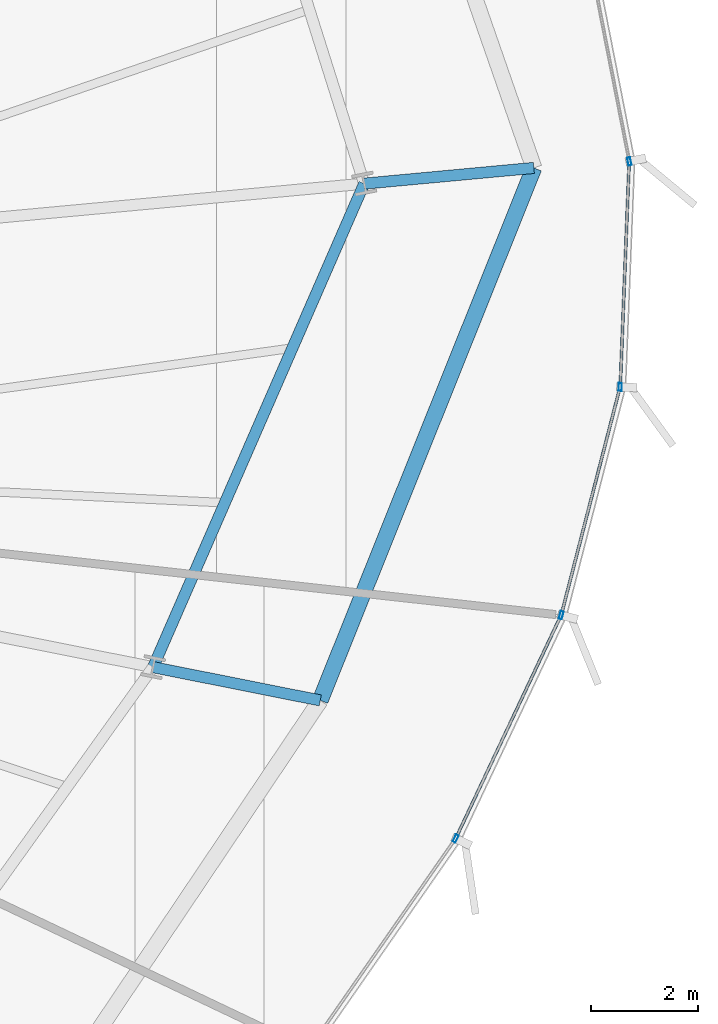
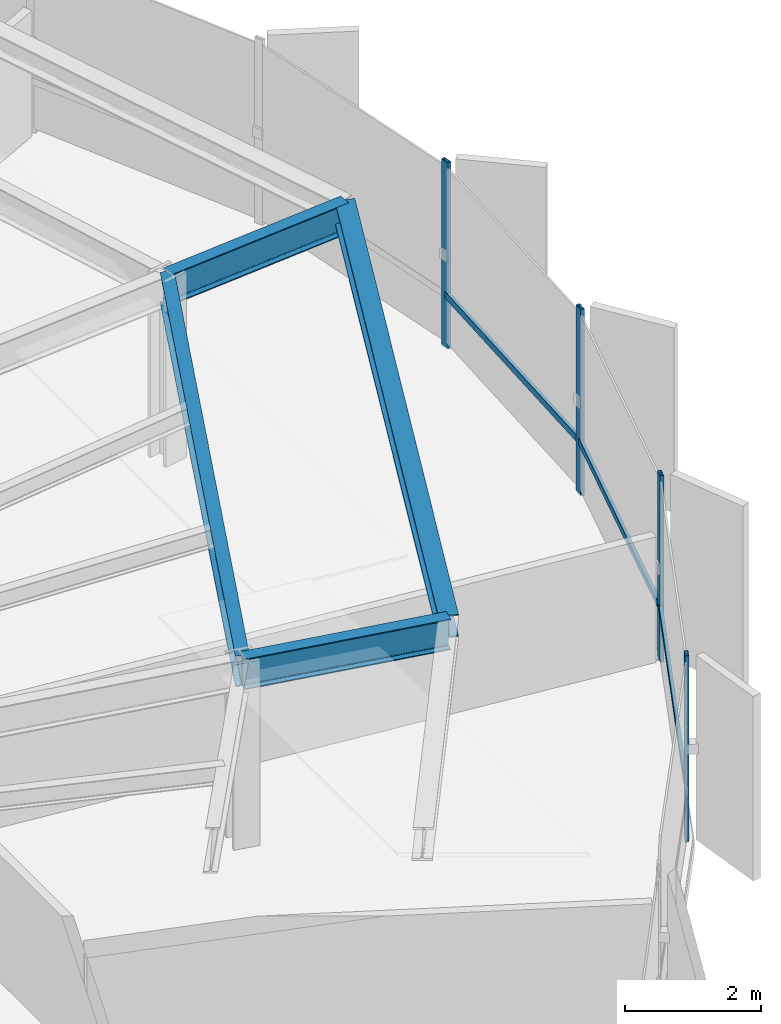
# One storey, part 16 of 35: 7 members, 4 beams, 1 element without a shape of its own.
"""IFC4 building model written with IfcOpenShell, lengths in metres."""

from ifc_helpers import new_model, si_unit, direction, frame, origin, origin_2d, place, context, subcontext, project, spatial, hollow_rectangle, i_section, extrude, source, transform, mapped, material, layer, layer_set, material_profile, profile_set, type_object, element, aggregate, save


model = new_model("IFC4")

# Units and contexts
model_context = context("Model", 3, precision=1e-05, world=origin(), true_north=direction((0.0, 1.0)))
body_context = subcontext(model_context, "Body", "Model", "MODEL_VIEW")
ifc_project = project(units=[si_unit("LENGTHUNIT", "METRE"), si_unit("AREAUNIT", "SQUARE_METRE"), si_unit("VOLUMEUNIT", "CUBIC_METRE"), si_unit("PLANEANGLEUNIT", "RADIAN"), si_unit("MASSUNIT", "GRAM", prefix="KILO"), si_unit("THERMODYNAMICTEMPERATUREUNIT", "KELVIN")], contexts=[model_context])

# Site, building, storey
site_placement = place(None, origin())
site = spatial("IfcSite", under=ifc_project, at=site_placement, CompositionType="ELEMENT")
building_placement = place(site_placement, origin())
building = spatial("IfcBuilding", under=site, at=building_placement, Name="Kethvar Cultural Tower", CompositionType="ELEMENT")
storey_placement = place(building_placement, frame((0.0, 0.0, 107.199951171875)))
storey = spatial("IfcBuildingStorey", under=building, at=storey_placement, Name="L26", CompositionType="ELEMENT", Elevation=107.199951171875)

# Beams
ifc_material_1 = material(Name="Steel S355J2", Category="steel")
ifc_material_profile_1 = material_profile(ifc_material_1, i_section(OverallWidth=0.2099609375, OverallDepth=0.550048828125, WebThickness=0.010986328125, FlangeThickness=0.01708984375, FilletRadius=0.02392578125, at=origin_2d()), Name="Steel S355J2 — IPE550")
ifc_profile_set_1 = profile_set([ifc_material_profile_1], Name="Steel S355J2 — IPE550")
beam_type_1 = type_object("IfcBeamType", Name="BM-IPE550", PredefinedType="BEAM", material=ifc_profile_set_1)
shared_shape_1 = source(origin(), body_context, "Body", "SweptSolid", [
    extrude(i_section(OverallWidth=0.2099609375, OverallDepth=0.550048828125, WebThickness=0.010986328125, FlangeThickness=0.01708984375, FilletRadius=0.02392578125, at=origin_2d()), origin(), (0.0, 0.0, 1.0), 3.199951171875),
])
for number, where, z_axis, x_axis, name in (
    (1, (71.6025390625, 32.7333984375, 3.072998046875), (0.995729641608, 0.092317283453, 0.0), (-0.092317283453, 0.995729641608, 0.0), "L26 Perimeter Cantilever Beam RC-01"),
    (2, (67.638671875, 23.65478515625, 3.072998046875), (0.980785550224, -0.195088965533, 0.0), (0.195088965533, 0.980785550224, 0.0), "L26 Perimeter Cantilever Beam RC-16"),
):
    element("IfcBeam", number, at=place(storey_placement, frame(where, z_axis=z_axis, x_axis=x_axis)), inside=storey, type_object=beam_type_1, Name=name, PredefinedType="BEAM", context=body_context, shape_type="MappedRepresentation", body=[
        mapped(shared_shape_1, transform((0.0, 0.0, 0.0), scale=1.0)),
    ])
shared_shape_2 = source(origin(), body_context, "Body", "SweptSolid", [
    extrude(i_section(OverallWidth=0.2099609375, OverallDepth=0.550048828125, WebThickness=0.010986328125, FlangeThickness=0.01708984375, FilletRadius=0.02392578125, at=origin_2d()), origin(), (0.0, 0.0, 1.0), 9.90625),
])
beam_1_placement = place(storey_placement, frame((67.638671875, 23.65478515625, 3.072998046875), z_axis=(0.400138679026, 0.916454602011, 0.0), x_axis=(-0.916454602011, 0.400138679026, 0.0)))
element("IfcBeam", 3, at=beam_1_placement, inside=storey, type_object=beam_type_1, Name="L26 Column Ring Tie Beam CR-16", PredefinedType="BEAM", context=body_context, shape_type="MappedRepresentation", body=[
    mapped(shared_shape_2, transform((0.0, 0.0, 0.0), scale=1.0)),
])
ifc_material_profile_2 = material_profile(ifc_material_1, i_section(OverallWidth=0.300048828125, OverallDepth=0.39990234375, WebThickness=0.013427734375, FlangeThickness=0.02392578125, FilletRadius=0.027099609375, at=origin_2d()), Name="Steel S355J2 — HEB400")
ifc_profile_set_2 = profile_set([ifc_material_profile_2], Name="Steel S355J2 — HEB400")
beam_type_2 = type_object("IfcBeamType", Name="BM-SP400", PredefinedType="SPANDREL", material=ifc_profile_set_2)
shared_shape_3 = source(origin(), body_context, "Body", "SweptSolid", [
    extrude(i_section(OverallWidth=0.300048828125, OverallDepth=0.39990234375, WebThickness=0.013427734375, FlangeThickness=0.02392578125, FilletRadius=0.027099609375, at=origin_2d()), origin(), (0.0, 0.0, 1.0), 10.773193359375),
])
beam_2_placement = place(storey_placement, frame((70.777099609375, 23.030517578125, 3.14794921875), z_axis=(0.372382905959, 0.928079183771, 0.0), x_axis=(-0.928079183771, 0.372382905959, 0.0)))
element("IfcBeam", 4, at=beam_2_placement, inside=storey, type_object=beam_type_2, Name="L26 Perimeter Spandrel Beam SP-16", PredefinedType="SPANDREL", context=body_context, shape_type="MappedRepresentation", body=[
    mapped(shared_shape_3, transform((0.0, 0.0, 0.0), scale=1.0)),
])

# Curtain wall, members
ifc_material_2 = material(Name="Aluminium 6063-T6", Category="aluminium")
ifc_layer = layer(ifc_material_2, 0.179931640625, Name="Aluminium 6063-T6", Category="aluminium")
ifc_layer_set = layer_set([ifc_layer], Name="Aluminium 6063-T6 (180 mm)")
curtain_wall_type = type_object("IfcCurtainWallType", Name="CW-SYS-03-Z2", PredefinedType="NOTDEFINED", material=ifc_layer_set)
curtain_wall_placement = place(storey_placement, origin())
curtain_wall = element("IfcCurtainWall", 5, at=curtain_wall_placement, inside=storey, type_object=curtain_wall_type, Name="L26 Curtain Wall Run 06", PredefinedType="NOTDEFINED")
ifc_material_profile_3 = material_profile(ifc_material_2, hollow_rectangle(XDim=0.06005859375, YDim=0.14990234375, WallThickness=0.0048828125, at=origin_2d()), Name="Aluminium 6063-T6 — RHS150x60x5")
ifc_profile_set_3 = profile_set([ifc_material_profile_3], Name="Aluminium 6063-T6 — RHS150x60x5")
member_type_1 = type_object("IfcMemberType", Name="CW-SYS-03-Z2-MUL", PredefinedType="MULLION", material=ifc_profile_set_3)
shared_shape_4 = source(origin(), body_context, "Body", "SweptSolid", [
    extrude(hollow_rectangle(XDim=0.06005859375, YDim=0.14990234375, WallThickness=0.0048828125, at=origin_2d()), origin(), (0.0, 0.0, 1.0), 3.35009765625),
])
member_1_placement = place(storey_placement, frame((73.320556640625, 20.436767578125, 0.0), z_axis=(0.0, 0.0, 1.0), x_axis=(-0.904373233467, 0.426742374961, 0.0)))
member_1 = element("IfcMember", 6, at=member_1_placement, type_object=member_type_1, Name="CW-L26-R06 Mullion 3", PredefinedType="MULLION", context=body_context, shape_type="MappedRepresentation", body=[
    mapped(shared_shape_4, transform((0.0, 0.0, 0.0), scale=1.0)),
])
member_2_placement = place(storey_placement, frame((75.3017578125, 24.630615234375, 0.0), z_axis=(0.0, 0.0, 1.0), x_axis=(-0.968304767659, 0.249771649569, 0.0)))
member_2 = element("IfcMember", 7, at=member_2_placement, type_object=member_type_1, Name="CW-L26-R06 Mullion 4", PredefinedType="MULLION", context=body_context, shape_type="MappedRepresentation", body=[
    mapped(shared_shape_4, transform((0.0, 0.0, 0.0), scale=1.0)),
])
member_3_placement = place(storey_placement, frame((76.409912109375, 28.91552734375, 0.0), z_axis=(0.0, 0.0, 1.0), x_axis=(-0.999211117821, 0.039713247455, 0.0)))
member_3 = element("IfcMember", 8, at=member_3_placement, type_object=member_type_1, Name="CW-L26-R06 Mullion 5", PredefinedType="MULLION", context=body_context, shape_type="MappedRepresentation", body=[
    mapped(shared_shape_4, transform((0.0, 0.0, 0.0), scale=1.0)),
])
member_4_placement = place(storey_placement, frame((76.581298828125, 33.151611328125, 0.0), z_axis=(0.0, 0.0, 1.0), x_axis=(-0.981343032496, -0.192265058113, 0.0)))
member_4 = element("IfcMember", 9, at=member_4_placement, type_object=member_type_1, Name="CW-L26-R06 Mullion 6", PredefinedType="MULLION", context=body_context, shape_type="MappedRepresentation", body=[
    mapped(shared_shape_4, transform((0.0, 0.0, 0.0), scale=1.0)),
])
ifc_material_profile_4 = material_profile(ifc_material_2, hollow_rectangle(XDim=0.054931640625, YDim=0.1201171875, WallThickness=0.00390625, at=origin_2d()), Name="Aluminium 6063-T6 — RHS120x55x4")
ifc_profile_set_4 = profile_set([ifc_material_profile_4], Name="Aluminium 6063-T6 — RHS120x55x4")
member_type_2 = type_object("IfcMemberType", Name="CW-SYS-03-Z2-TRN", PredefinedType="USERDEFINED", material=ifc_profile_set_4)
shared_shape_5 = source(origin(), body_context, "Body", "SweptSolid", [
    extrude(hollow_rectangle(XDim=0.054931640625, YDim=0.1201171875, WallThickness=0.00390625, at=origin_2d()), origin(), (0.0, 0.0, 1.0), 4.179443359375),
])
member_5_placement = place(storey_placement, frame((76.41162109375, 28.958740234375, 0.949951171875), z_axis=(0.039662441202, 0.999213135801, 0.0), x_axis=(-0.999213135801, 0.039662441202, 0.0)))
member_5 = element("IfcMember", 10, at=member_5_placement, type_object=member_type_2, Name="CW-L26-R06 Transom 5", ObjectType="TRANSOM", PredefinedType="USERDEFINED", context=body_context, shape_type="MappedRepresentation", body=[
    mapped(shared_shape_5, transform((0.0, 0.0, 0.0), scale=1.0)),
])
shared_shape_6 = source(origin(), body_context, "Body", "SweptSolid", [
    extrude(hollow_rectangle(XDim=0.054931640625, YDim=0.1201171875, WallThickness=0.00390625, at=origin_2d()), origin(), (0.0, 0.0, 1.0), 4.36376953125),
])
member_6_placement = place(storey_placement, frame((75.3125, 24.672607421875, 0.949951171875), z_axis=(0.249808642632, 0.968295224643, 0.0), x_axis=(-0.968295224643, 0.249808642632, 0.0)))
member_6 = element("IfcMember", 11, at=member_6_placement, type_object=member_type_2, Name="CW-L26-R06 Transom 4", ObjectType="TRANSOM", PredefinedType="USERDEFINED", context=body_context, shape_type="MappedRepresentation", body=[
    mapped(shared_shape_6, transform((0.0, 0.0, 0.0), scale=1.0)),
])
shared_shape_7 = source(origin(), body_context, "Body", "SweptSolid", [
    extrude(hollow_rectangle(XDim=0.054931640625, YDim=0.1201171875, WallThickness=0.00390625, at=origin_2d()), origin(), (0.0, 0.0, 1.0), 4.57373046875),
])
member_7_placement = place(storey_placement, frame((73.339111328125, 20.4755859375, 0.949951171875), z_axis=(0.426706824191, 0.904390007789, 0.0), x_axis=(-0.904390007789, 0.426706824191, 0.0)))
member_7 = element("IfcMember", 12, at=member_7_placement, type_object=member_type_2, Name="CW-L26-R06 Transom 3", ObjectType="TRANSOM", PredefinedType="USERDEFINED", context=body_context, shape_type="MappedRepresentation", body=[
    mapped(shared_shape_7, transform((0.0, 0.0, 0.0), scale=1.0)),
])
aggregate(curtain_wall, [member_1, member_2, member_3, member_4, member_7, member_6, member_5])

save(model, "model.ifc")
